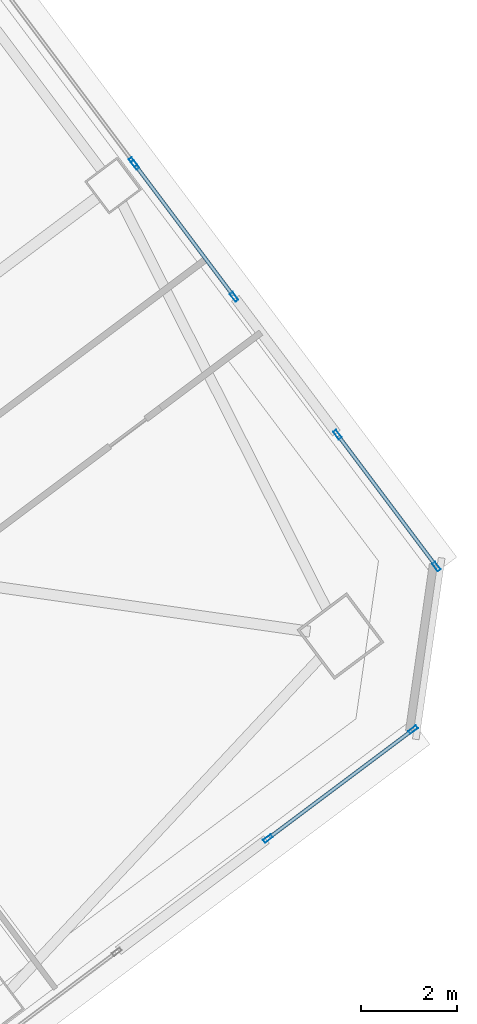
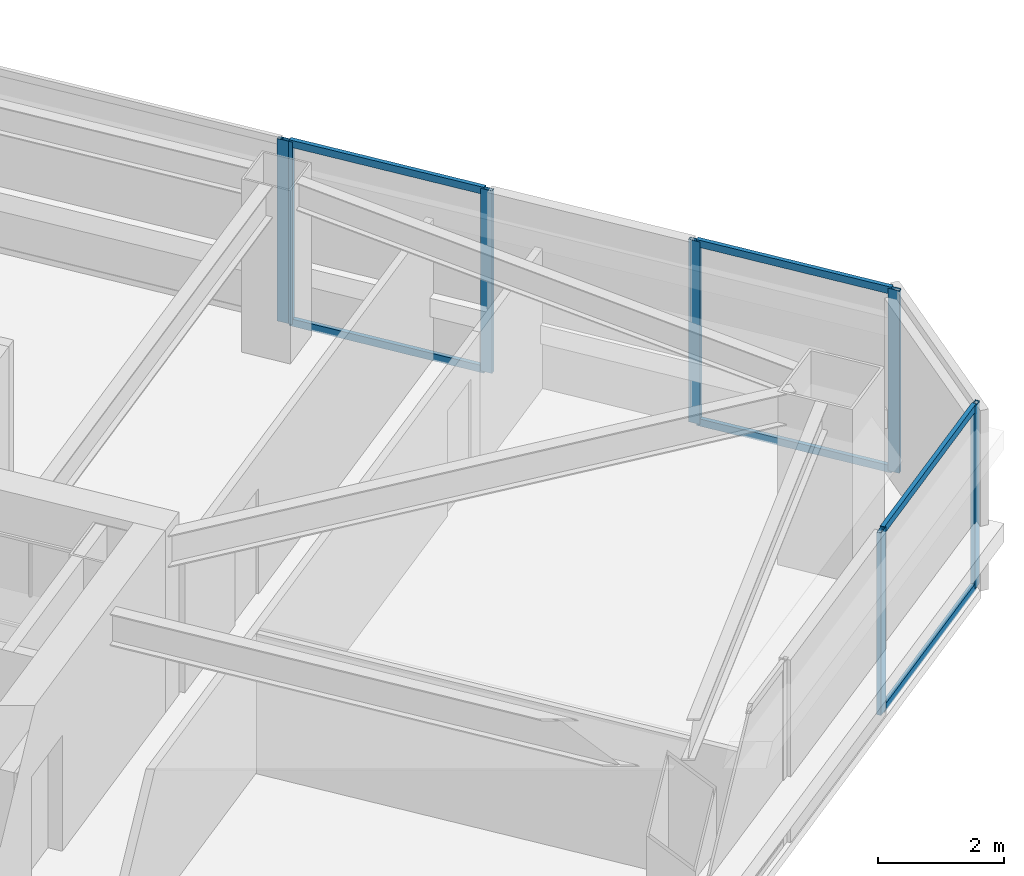
# One storey, part 29 of 46: 13 members, 4 elements without a shape of their own.
"""IFC4 building model written with IfcOpenShell, lengths in metres."""

from ifc_helpers import new_model, si_unit, direction, frame, origin, origin_2d, place, context, subcontext, project, spatial, hollow_rectangle, extrude, material, material_profile, profile_set, type_object, element, aggregate, save


model = new_model("IFC4")

# Units and contexts
model_context = context("Model", 3, precision=1e-05, world=origin(), true_north=direction((0.0, 1.0)))
body_context = subcontext(model_context, "Body", "Model", "MODEL_VIEW")
ifc_project = project(units=[si_unit("LENGTHUNIT", "METRE"), si_unit("AREAUNIT", "SQUARE_METRE"), si_unit("VOLUMEUNIT", "CUBIC_METRE"), si_unit("PLANEANGLEUNIT", "RADIAN"), si_unit("MASSUNIT", "GRAM", prefix="KILO")], contexts=[model_context])

# Site, building, storey
site_placement = place(None, origin())
site = spatial("IfcSite", under=ifc_project, at=site_placement, CompositionType="ELEMENT")
building_placement = place(site_placement, origin())
building = spatial("IfcBuilding", under=site, at=building_placement, Name="Tashvorn Skyway Center", CompositionType="ELEMENT")
storey_placement = place(building_placement, frame((0.0, 0.0, 139.25)))
storey = spatial("IfcBuildingStorey", under=building, at=storey_placement, Name="L37", CompositionType="ELEMENT", Elevation=139.25)

# Curtain wall, members
ifc_material = material(Name="Thermally broken bronze-anodized aluminium 6063-T6", Category="aluminium")
curtain_wall_type = type_object("IfcCurtainWallType", Name="CW-CW-Z3", PredefinedType="NOTDEFINED", material=ifc_material)
curtain_wall_1_placement = place(storey_placement, origin())
curtain_wall_1 = element("IfcCurtainWall", 1, at=curtain_wall_1_placement, inside=storey, type_object=curtain_wall_type, Name="Tower 2 L37 South Curtain Wall L Glazing Group 1", PredefinedType="NOTDEFINED")
ifc_material_profile_1 = material_profile(ifc_material, hollow_rectangle(XDim=0.074951171875, YDim=0.199951171875, WallThickness=0.00439453125, at=origin_2d()), Name="ALU-MULL-75x200")
ifc_profile_set_1 = profile_set([ifc_material_profile_1], Name="Thermally broken bronze-anodized aluminium 6063-T6")
member_type_1 = type_object("IfcMemberType", Name="CWM-CW-Z3", PredefinedType="MULLION", material=ifc_profile_set_1)
member_1_placement = place(storey_placement, frame((137.64208984375, 26.881591796875, 0.0), z_axis=(0.0, 0.0, 1.0), x_axis=(0.600004127279, -0.799996904524, 0.0)))
member_1 = element("IfcMember", 2, at=member_1_placement, type_object=member_type_1, Name="CW-Z3 mullion 1", PredefinedType="MULLION", context=body_context, shape_type="SweptSolid", body=[
    extrude(hollow_rectangle(XDim=0.074951171875, YDim=0.199951171875, WallThickness=0.00439453125, at=origin_2d()), origin(), (0.0, 0.0, 1.0), 3.550048828125),
])
member_2_placement = place(storey_placement, frame((134.6005859375, 24.6005859375, 0.0), z_axis=(0.0, 0.0, 1.0), x_axis=(0.600004127279, -0.799996904524, 0.0)))
member_2 = element("IfcMember", 3, at=member_2_placement, type_object=member_type_1, Name="CW-Z3 mullion 2", PredefinedType="MULLION", context=body_context, shape_type="SweptSolid", body=[
    extrude(hollow_rectangle(XDim=0.074951171875, YDim=0.199951171875, WallThickness=0.00439453125, at=origin_2d()), origin(), (0.0, 0.0, 1.0), 3.550048828125),
])

# Curtain wall, member
curtain_wall_2_placement = place(storey_placement, origin())
curtain_wall_2 = element("IfcCurtainWall", 4, at=curtain_wall_2_placement, inside=storey, type_object=curtain_wall_type, Name="Tower 2 L37 East Unitised Curtain Wall Glazing Group 3", PredefinedType="NOTDEFINED")
member_3_placement = place(storey_placement, frame((131.777587890625, 38.76318359375, 0.0), z_axis=(0.0, 0.0, 1.0), x_axis=(0.800002266987, 0.599996977339, 0.0)))
member_3 = element("IfcMember", 5, at=member_3_placement, type_object=member_type_1, Name="CW-Z3 mullion 2", PredefinedType="MULLION", context=body_context, shape_type="SweptSolid", body=[
    extrude(hollow_rectangle(XDim=0.074951171875, YDim=0.199951171875, WallThickness=0.00439453125, at=origin_2d()), origin(), (0.0, 0.0, 1.0), 3.550048828125),
])
aggregate(curtain_wall_2, [member_3])

# Curtain wall, members
curtain_wall_3_placement = place(storey_placement, origin())
curtain_wall_3 = element("IfcCurtainWall", 6, at=curtain_wall_3_placement, inside=storey, type_object=curtain_wall_type, Name="Tower 2 L37 East Unitised Curtain Wall Glazing Group 4", PredefinedType="NOTDEFINED")
member_4_placement = place(storey_placement, frame((131.822509765625, 38.703369140625, 0.0), z_axis=(0.0, 0.0, 1.0), x_axis=(0.800003400519, 0.599995465948, 0.0)))
member_4 = element("IfcMember", 7, at=member_4_placement, type_object=member_type_1, Name="CW-Z3 mullion 1", PredefinedType="MULLION", context=body_context, shape_type="SweptSolid", body=[
    extrude(hollow_rectangle(XDim=0.074951171875, YDim=0.199951171875, WallThickness=0.00439453125, at=origin_2d()), origin(), (0.0, 0.0, 1.0), 3.550048828125),
])
member_5_placement = place(storey_placement, frame((133.894775390625, 35.940185546875, 0.0), z_axis=(0.0, 0.0, 1.0), x_axis=(0.800003400519, 0.599995465948, 0.0)))
member_5 = element("IfcMember", 8, at=member_5_placement, type_object=member_type_1, Name="CW-Z3 mullion 2", PredefinedType="MULLION", context=body_context, shape_type="SweptSolid", body=[
    extrude(hollow_rectangle(XDim=0.074951171875, YDim=0.199951171875, WallThickness=0.00439453125, at=origin_2d()), origin(), (0.0, 0.0, 1.0), 3.550048828125),
])

curtain_wall_4_placement = place(storey_placement, origin())
curtain_wall_4 = element("IfcCurtainWall", 9, at=curtain_wall_4_placement, inside=storey, type_object=curtain_wall_type, Name="Tower 2 L37 East Unitised Curtain Wall Glazing Group 5", PredefinedType="NOTDEFINED")
member_6_placement = place(storey_placement, frame((136.05712890625, 33.05712890625, 0.0), z_axis=(0.0, 0.0, 1.0), x_axis=(0.800003400519, 0.599995465948, 0.0)))
member_6 = element("IfcMember", 10, at=member_6_placement, type_object=member_type_1, Name="CW-Z3 mullion 1", PredefinedType="MULLION", context=body_context, shape_type="SweptSolid", body=[
    extrude(hollow_rectangle(XDim=0.074951171875, YDim=0.199951171875, WallThickness=0.00439453125, at=origin_2d()), origin(), (0.0, 0.0, 1.0), 3.550048828125),
])
member_7_placement = place(storey_placement, frame((138.12939453125, 30.2939453125, 0.0), z_axis=(0.0, 0.0, 1.0), x_axis=(0.800003400519, 0.599995465948, 0.0)))
member_7 = element("IfcMember", 11, at=member_7_placement, type_object=member_type_1, Name="CW-Z3 mullion 2", PredefinedType="MULLION", context=body_context, shape_type="SweptSolid", body=[
    extrude(hollow_rectangle(XDim=0.074951171875, YDim=0.199951171875, WallThickness=0.00439453125, at=origin_2d()), origin(), (0.0, 0.0, 1.0), 3.550048828125),
])

# Member
ifc_material_profile_2 = material_profile(ifc_material, hollow_rectangle(XDim=0.074951171875, YDim=0.139892578125, WallThickness=0.004150390625, at=origin_2d()), Name="ALU-TRAN-75x140")
ifc_profile_set_2 = profile_set([ifc_material_profile_2], Name="Thermally broken bronze-anodized aluminium 6063-T6")
member_type_2 = type_object("IfcMemberType", Name="CWT-CW-Z3", PredefinedType="USERDEFINED", material=ifc_profile_set_2)
member_8_placement = place(storey_placement, frame((137.612060546875, 26.85888671875, 0.03759765625), z_axis=(-0.800031444618, -0.599958071554, 0.0), x_axis=(0.599958071554, -0.800031444618, 0.0)))
member_8 = element("IfcMember", 12, at=member_8_placement, type_object=member_type_2, Name="CW-Z3 transom 1.1", ObjectType="TRANSOM", PredefinedType="USERDEFINED", context=body_context, shape_type="SweptSolid", body=[
    extrude(hollow_rectangle(XDim=0.074951171875, YDim=0.139892578125, WallThickness=0.004150390625, at=origin_2d()), origin(), (0.0, 0.0, 1.0), 3.7265625),
])

member_9_placement = place(storey_placement, frame((137.612060546875, 26.85888671875, 3.512451171875), z_axis=(-0.800031444618, -0.599958071554, 0.0), x_axis=(0.599958071554, -0.800031444618, 0.0)))
member_9 = element("IfcMember", 13, at=member_9_placement, type_object=member_type_2, Name="CW-Z3 transom 1.2", ObjectType="TRANSOM", PredefinedType="USERDEFINED", context=body_context, shape_type="SweptSolid", body=[
    extrude(hollow_rectangle(XDim=0.074951171875, YDim=0.139892578125, WallThickness=0.004150390625, at=origin_2d()), origin(), (0.0, 0.0, 1.0), 3.7265625),
])

aggregate(curtain_wall_1, [member_1, member_2, member_8, member_9])

member_10_placement = place(storey_placement, frame((131.844970703125, 38.67333984375, 0.03759765625), z_axis=(0.6, -0.8, 0.0), x_axis=(0.8, 0.6, 0.0)))
member_10 = element("IfcMember", 14, at=member_10_placement, type_object=member_type_2, Name="CW-Z3 transom 1.1", ObjectType="TRANSOM", PredefinedType="USERDEFINED", context=body_context, shape_type="SweptSolid", body=[
    extrude(hollow_rectangle(XDim=0.074951171875, YDim=0.139892578125, WallThickness=0.004150390625, at=origin_2d()), origin(), (0.0, 0.0, 1.0), 3.37890625),
])

member_11_placement = place(storey_placement, frame((131.844970703125, 38.67333984375, 3.512451171875), z_axis=(0.6, -0.8, 0.0), x_axis=(0.8, 0.6, 0.0)))
member_11 = element("IfcMember", 15, at=member_11_placement, type_object=member_type_2, Name="CW-Z3 transom 1.2", ObjectType="TRANSOM", PredefinedType="USERDEFINED", context=body_context, shape_type="SweptSolid", body=[
    extrude(hollow_rectangle(XDim=0.074951171875, YDim=0.139892578125, WallThickness=0.004150390625, at=origin_2d()), origin(), (0.0, 0.0, 1.0), 3.37890625),
])

aggregate(curtain_wall_3, [member_4, member_5, member_10, member_11])

member_12_placement = place(storey_placement, frame((136.07958984375, 33.027099609375, 0.03759765625), z_axis=(0.6, -0.8, 0.0), x_axis=(0.8, 0.6, 0.0)))
member_12 = element("IfcMember", 16, at=member_12_placement, type_object=member_type_2, Name="CW-Z3 transom 1.1", ObjectType="TRANSOM", PredefinedType="USERDEFINED", context=body_context, shape_type="SweptSolid", body=[
    extrude(hollow_rectangle(XDim=0.074951171875, YDim=0.139892578125, WallThickness=0.004150390625, at=origin_2d()), origin(), (0.0, 0.0, 1.0), 3.37890625),
])

member_13_placement = place(storey_placement, frame((136.07958984375, 33.027099609375, 3.512451171875), z_axis=(0.6, -0.8, 0.0), x_axis=(0.8, 0.6, 0.0)))
member_13 = element("IfcMember", 17, at=member_13_placement, type_object=member_type_2, Name="CW-Z3 transom 1.2", ObjectType="TRANSOM", PredefinedType="USERDEFINED", context=body_context, shape_type="SweptSolid", body=[
    extrude(hollow_rectangle(XDim=0.074951171875, YDim=0.139892578125, WallThickness=0.004150390625, at=origin_2d()), origin(), (0.0, 0.0, 1.0), 3.37890625),
])

aggregate(curtain_wall_4, [member_6, member_7, member_12, member_13])

save(model, "model.ifc")
